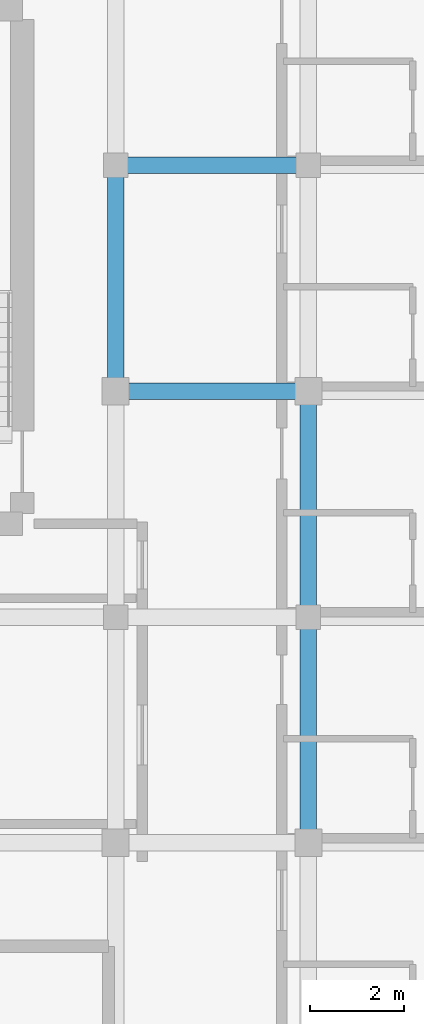
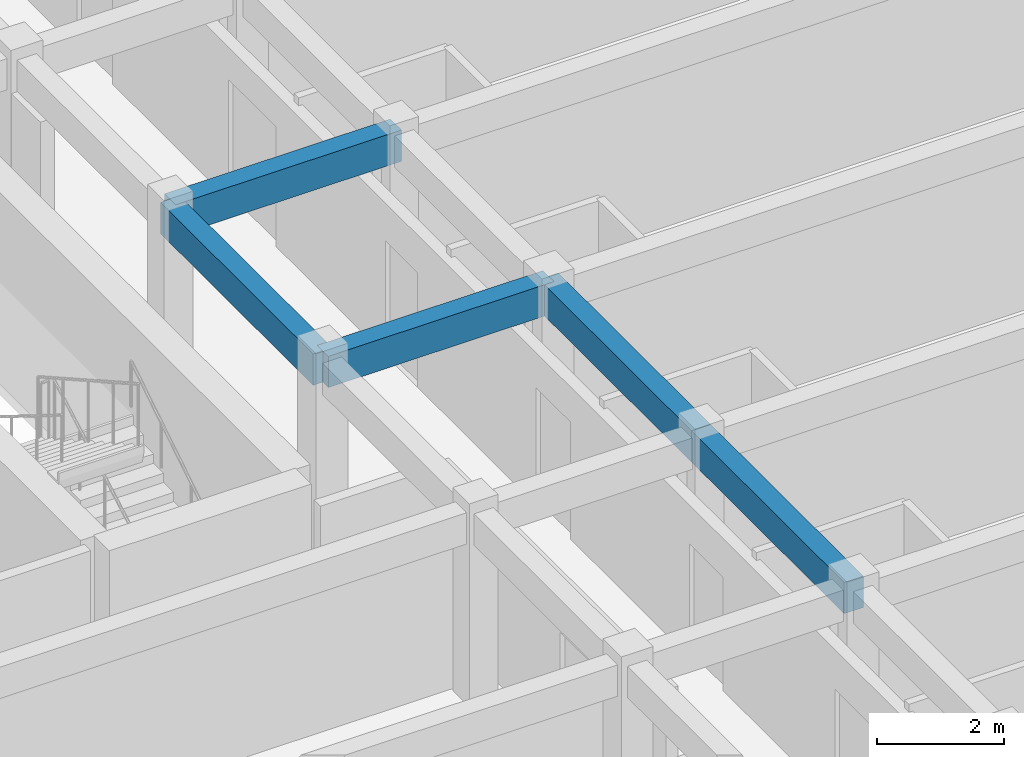
# One storey, part 22 of 49: 5 beams.
"""IFC4 building model written with IfcOpenShell, lengths in metres."""

from ifc_helpers import new_model, si_unit, direction, frame, origin, origin_2d, place, context, subcontext, project, spatial, rectangle, extrude, material, material_profile, profile_set, type_object, element, save


model = new_model("IFC4")

# Units and contexts
model_context = context("Model", 3, precision=1e-05, world=origin(), true_north=direction((0.0, 1.0)))
body_context = subcontext(model_context, "Body", "Model", "MODEL_VIEW")
ifc_project = project(units=[si_unit("LENGTHUNIT", "METRE"), si_unit("AREAUNIT", "SQUARE_METRE"), si_unit("VOLUMEUNIT", "CUBIC_METRE"), si_unit("PLANEANGLEUNIT", "RADIAN"), si_unit("MASSUNIT", "GRAM", prefix="KILO")], contexts=[model_context])

# Site, building, storey
site_placement = place(None, origin())
site = spatial("IfcSite", under=ifc_project, at=site_placement, CompositionType="ELEMENT")
building_placement = place(site_placement, origin())
building = spatial("IfcBuilding", under=site, at=building_placement, Name="Nakhvara Creek Congress Hotel", CompositionType="ELEMENT")
storey_placement = place(building_placement, frame((0.0, 0.0, 46.5)))
storey = spatial("IfcBuildingStorey", under=building, at=storey_placement, Name="L11", CompositionType="ELEMENT", Elevation=46.5)

# Beams
ifc_material = material(Name="Concrete C40/50", Category="concrete")
ifc_material_profile = material_profile(ifc_material, rectangle(XDim=0.35009765625, YDim=0.60009765625, at=origin_2d()), Name="RC-BM 350x600", Category="LoadBearing")
ifc_profile_set = profile_set([ifc_material_profile], Name="Concrete C40/50")
beam_type = type_object("IfcBeamType", Name="BM-RC-350X600", PredefinedType="BEAM", material=ifc_profile_set)
beam_1_placement = place(storey_placement, frame((162.35009765625, 105.60009765625, 3.3798828125), z_axis=(1.0, 0.0, 0.0), x_axis=(0.0, 1.0, 0.0)))
element("IfcBeam", 1, at=beam_1_placement, inside=storey, type_object=beam_type, Name="Beam B07-L11-2737", PredefinedType="BEAM", context=body_context, shape_type="SweptSolid", body=[
    extrude(rectangle(XDim=0.35009765625, YDim=0.60009765625, at=origin_2d()), origin(), (0.0, 0.0, 1.0), 4.099853515625),
])
beam_2_placement = place(storey_placement, frame((162.35009765625, 105.60009765625, 3.3798828125), z_axis=(0.0, 1.0, 0.0), x_axis=(-1.0, 0.0, 0.0)))
element("IfcBeam", 2, at=beam_2_placement, inside=storey, type_object=beam_type, Name="Beam B07-L11-2739", PredefinedType="BEAM", context=body_context, shape_type="SweptSolid", body=[
    extrude(rectangle(XDim=0.35009765625, YDim=0.60009765625, at=origin_2d()), origin(), (0.0, 0.0, 1.0), 4.7998046875),
])
for number, where, z_axis, x_axis, name in (
    (3, (166.449951171875, 96.0, 3.3798828125), (0.0, 1.0, 0.0), (-1.0, 0.0, 0.0), "Beam B07-L11-2755"),
    (4, (166.449951171875, 100.800048828125, 3.3798828125), (0.0, 1.0, 0.0), (-1.0, 0.0, 0.0), "Beam B07-L11-2757"),
):
    element("IfcBeam", number, at=place(storey_placement, frame(where, z_axis=z_axis, x_axis=x_axis)), inside=storey, type_object=beam_type, Name=name, PredefinedType="BEAM", context=body_context, shape_type="SweptSolid", body=[
        extrude(rectangle(XDim=0.35009765625, YDim=0.60009765625, at=origin_2d()), origin(), (0.0, 0.0, 1.0), 4.800048828125),
    ])
beam_3_placement = place(storey_placement, frame((162.35009765625, 110.39990234375, 3.3798828125), z_axis=(1.0, 0.0, 0.0), x_axis=(0.0, 1.0, 0.0)))
element("IfcBeam", 5, at=beam_3_placement, inside=storey, type_object=beam_type, Name="Beam B07-L11-2773", PredefinedType="BEAM", context=body_context, shape_type="SweptSolid", body=[
    extrude(rectangle(XDim=0.35009765625, YDim=0.60009765625, at=origin_2d()), origin(), (0.0, 0.0, 1.0), 4.099853515625),
])

save(model, "model.ifc")
